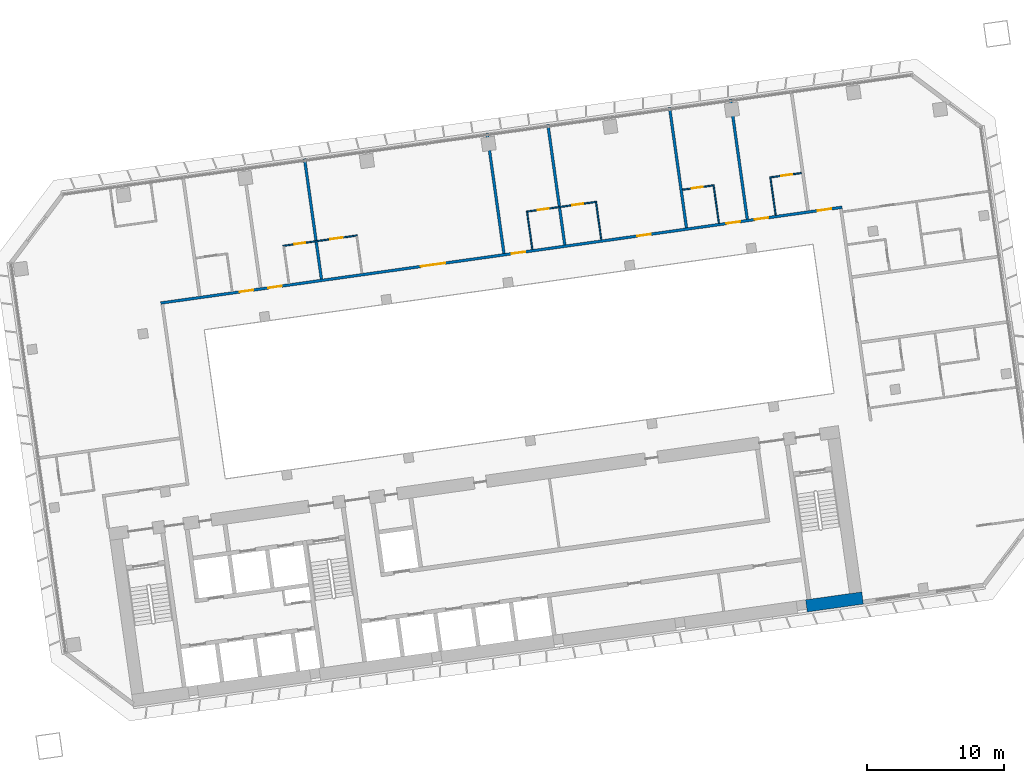
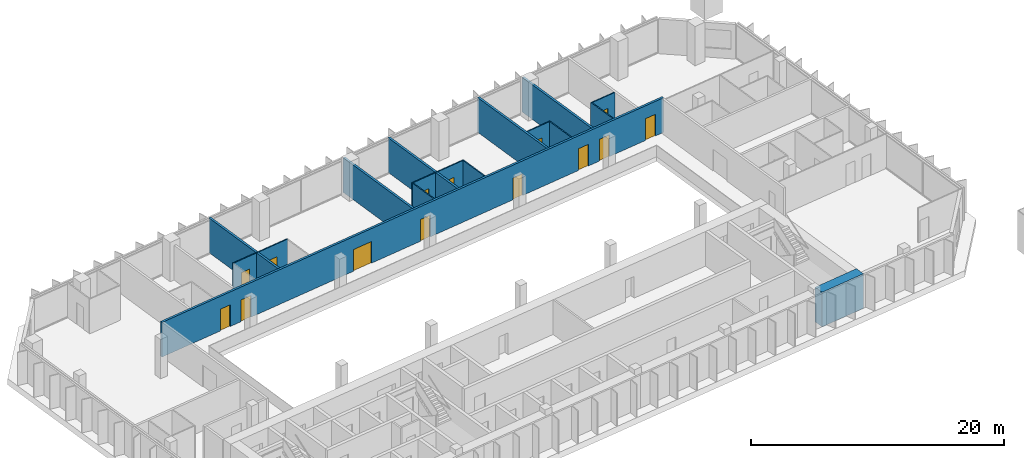
# One storey, part 20 of 24: 15 walls, 14 doors, 14 openings.
"""IFC4 building model written with IfcOpenShell, lengths in metres."""

from ifc_helpers import new_model, si_unit, direction, frame, frame_2d, origin, place, context, subcontext, project, spatial, rectangle, extrude, material, layer, layer_set, type_object, element, fill, save


model = new_model("IFC4")

# Units and contexts
model_context = context("Model", 3, precision=1e-05, world=origin(), true_north=direction((0.0, 1.0)))
body_context = subcontext(model_context, "Body", "Model", "MODEL_VIEW")
ifc_project = project(units=[si_unit("LENGTHUNIT", "METRE"), si_unit("AREAUNIT", "SQUARE_METRE"), si_unit("VOLUMEUNIT", "CUBIC_METRE"), si_unit("PLANEANGLEUNIT", "RADIAN"), si_unit("MASSUNIT", "GRAM", prefix="KILO")], contexts=[model_context])

# Site, building, storey
site_placement = place(None, origin())
site = spatial("IfcSite", under=ifc_project, at=site_placement, CompositionType="ELEMENT")
building_placement = place(site_placement, origin())
building = spatial("IfcBuilding", under=site, at=building_placement, Name="Mirante Cascada Hotel Towers", CompositionType="ELEMENT")
storey_placement = place(building_placement, frame((0.0, 0.0, 81.3)))
storey = spatial("IfcBuildingStorey", under=building, at=storey_placement, Name="L17", CompositionType="ELEMENT", Elevation=81.3)

# Wall, openings, doors
ifc_material_1 = material(Name="Fire-rated plasterboard on metal studs")
ifc_layer_1 = layer(ifc_material_1, 0.2)
ifc_layer_set_1 = layer_set([ifc_layer_1], Name="Compartment wall 200 EI 120")
wall_type_1 = type_object("IfcWallType", Name="Compartment wall 200 EI 120", PredefinedType="PARTITIONING", material=ifc_layer_set_1)
wall_1_placement = place(storey_placement, frame((89.0146, 16.3922, 0.0), z_axis=(0.0, 0.0, 1.0), x_axis=(-0.9902681, -0.1391727, 0.0)))
wall_1 = element("IfcWall", 1, at=wall_1_placement, inside=storey, type_object=wall_type_1, Name="Wall 2-L17-13", PredefinedType="PARTITIONING", context=body_context, shape_type="SweptSolid", body=[
    extrude(rectangle(XDim=50.4, YDim=0.2, at=frame_2d((25.2, 0.0))), origin(), (0.0, 0.0, 1.0), 3.35),
])
opening_1_placement = place(wall_1_placement, frame((43.55, 0.0, 0.0)))
opening_1 = element("IfcOpeningElement", 2, at=opening_1_placement, cuts=wall_1, Name="Opening D2-L17-07", PredefinedType="OPENING", context=body_context, shape_type="SweptSolid", body=[
    extrude(rectangle(XDim=1.0, YDim=2.1, at=frame_2d((0.5, 1.05))), frame((0.0, 0.1, 0.0), z_axis=(0.0, -1.0, 0.0), x_axis=(1.0, 0.0, 0.0)), (0.0, 0.0, 1.0), 0.2),
])
opening_2_placement = place(wall_1_placement, frame((41.45, 0.0, 0.0)))
opening_2 = element("IfcOpeningElement", 3, at=opening_2_placement, cuts=wall_1, Name="Opening D2-L17-08", PredefinedType="OPENING", context=body_context, shape_type="SweptSolid", body=[
    extrude(rectangle(XDim=1.0, YDim=2.1, at=frame_2d((0.5, 1.05))), frame((0.0, 0.1, 0.0), z_axis=(0.0, -1.0, 0.0), x_axis=(1.0, 0.0, 0.0)), (0.0, 0.0, 1.0), 0.2),
])
opening_3_placement = place(wall_1_placement, frame((29.35, 0.0, 0.0)))
opening_3 = element("IfcOpeningElement", 4, at=opening_3_placement, cuts=wall_1, Name="Opening D2-L17-09", PredefinedType="OPENING", context=body_context, shape_type="SweptSolid", body=[
    extrude(rectangle(XDim=1.8, YDim=2.1, at=frame_2d((0.9, 1.05))), frame((0.0, 0.1, 0.0), z_axis=(0.0, -1.0, 0.0), x_axis=(1.0, 0.0, 0.0)), (0.0, 0.0, 1.0), 0.2),
])
opening_4_placement = place(wall_1_placement, frame((23.45, 0.0, 0.0)))
opening_4 = element("IfcOpeningElement", 5, at=opening_4_placement, cuts=wall_1, Name="Opening D2-L17-10", PredefinedType="OPENING", context=body_context, shape_type="SweptSolid", body=[
    extrude(rectangle(XDim=1.0, YDim=2.1, at=frame_2d((0.5, 1.05))), frame((0.0, 0.1, 0.0), z_axis=(0.0, -1.0, 0.0), x_axis=(1.0, 0.0, 0.0)), (0.0, 0.0, 1.0), 0.2),
])
opening_5_placement = place(wall_1_placement, frame((14.15, 0.0, 0.0)))
opening_5 = element("IfcOpeningElement", 6, at=opening_5_placement, cuts=wall_1, Name="Opening D2-L17-11", PredefinedType="OPENING", context=body_context, shape_type="SweptSolid", body=[
    extrude(rectangle(XDim=1.0, YDim=2.1, at=frame_2d((0.5, 1.05))), frame((0.0, 0.1, 0.0), z_axis=(0.0, -1.0, 0.0), x_axis=(1.0, 0.0, 0.0)), (0.0, 0.0, 1.0), 0.2),
])
opening_6_placement = place(wall_1_placement, frame((7.55, 0.0, 0.0)))
opening_6 = element("IfcOpeningElement", 7, at=opening_6_placement, cuts=wall_1, Name="Opening D2-L17-12", PredefinedType="OPENING", context=body_context, shape_type="SweptSolid", body=[
    extrude(rectangle(XDim=1.0, YDim=2.1, at=frame_2d((0.5, 1.05))), frame((0.0, 0.1, 0.0), z_axis=(0.0, -1.0, 0.0), x_axis=(1.0, 0.0, 0.0)), (0.0, 0.0, 1.0), 0.2),
])
opening_7_placement = place(wall_1_placement, frame((5.45, 0.0, 0.0)))
opening_7 = element("IfcOpeningElement", 8, at=opening_7_placement, cuts=wall_1, Name="Opening D2-L17-13", PredefinedType="OPENING", context=body_context, shape_type="SweptSolid", body=[
    extrude(rectangle(XDim=1.0, YDim=2.1, at=frame_2d((0.5, 1.05))), frame((0.0, 0.1, 0.0), z_axis=(0.0, -1.0, 0.0), x_axis=(1.0, 0.0, 0.0)), (0.0, 0.0, 1.0), 0.2),
])
opening_8_placement = place(wall_1_placement, frame((0.8, 0.0, 0.0)))
opening_8 = element("IfcOpeningElement", 9, at=opening_8_placement, cuts=wall_1, Name="Opening D2-L17-14", PredefinedType="OPENING", context=body_context, shape_type="SweptSolid", body=[
    extrude(rectangle(XDim=1.0, YDim=2.1, at=frame_2d((0.5, 1.05))), frame((0.0, 0.1, 0.0), z_axis=(0.0, -1.0, 0.0), x_axis=(1.0, 0.0, 0.0)), (0.0, 0.0, 1.0), 0.2),
])
ifc_material_2 = material(Name="Fire-rated timber door leaf", Category="wood")
door_type_1 = type_object("IfcDoorType", Name="Entrance door DG1 1000x2100 EI 60", OperationType="SINGLE_SWING_LEFT", PredefinedType="DOOR", material=ifc_material_2)
door_1_placement = place(opening_1_placement, frame((1.0, 0.0, 0.0), z_axis=(0.0, 0.0, 1.0), x_axis=(-1.0, 0.0, 0.0)))
door_1 = element("IfcDoor", 10, at=door_1_placement, inside=storey, type_object=door_type_1, Name="Door D2-L17-07", OperationType="SINGLE_SWING_RIGHT", OverallHeight=2.1, OverallWidth=1.0, PredefinedType="DOOR", context=body_context, shape_type="SweptSolid", body=[
    extrude(rectangle(XDim=1.0, YDim=2.1, at=frame_2d((0.5, 1.05))), frame((0.0, 0.025, 0.0), z_axis=(0.0, -1.0, 0.0), x_axis=(1.0, 0.0, 0.0)), (0.0, 0.0, 1.0), 0.05),
])
fill(opening_1, door_1)
door_2_placement = place(opening_2_placement, frame((1.0, 0.0, 0.0), z_axis=(0.0, 0.0, 1.0), x_axis=(-1.0, 0.0, 0.0)))
door_2 = element("IfcDoor", 11, at=door_2_placement, inside=storey, type_object=door_type_1, Name="Door D2-L17-08", OperationType="SINGLE_SWING_RIGHT", OverallHeight=2.1, OverallWidth=1.0, PredefinedType="DOOR", context=body_context, shape_type="SweptSolid", body=[
    extrude(rectangle(XDim=1.0, YDim=2.1, at=frame_2d((0.5, 1.05))), frame((0.0, 0.025, 0.0), z_axis=(0.0, -1.0, 0.0), x_axis=(1.0, 0.0, 0.0)), (0.0, 0.0, 1.0), 0.05),
])
fill(opening_2, door_2)
door_3_placement = place(opening_4_placement, frame((1.0, 0.0, 0.0), z_axis=(0.0, 0.0, 1.0), x_axis=(-1.0, 0.0, 0.0)))
door_3 = element("IfcDoor", 12, at=door_3_placement, inside=storey, type_object=door_type_1, Name="Door D2-L17-10", OperationType="SINGLE_SWING_RIGHT", OverallHeight=2.1, OverallWidth=1.0, PredefinedType="DOOR", context=body_context, shape_type="SweptSolid", body=[
    extrude(rectangle(XDim=1.0, YDim=2.1, at=frame_2d((0.5, 1.05))), frame((0.0, 0.025, 0.0), z_axis=(0.0, -1.0, 0.0), x_axis=(1.0, 0.0, 0.0)), (0.0, 0.0, 1.0), 0.05),
])
fill(opening_4, door_3)
door_4_placement = place(opening_5_placement, frame((1.0, 0.0, 0.0), z_axis=(0.0, 0.0, 1.0), x_axis=(-1.0, 0.0, 0.0)))
door_4 = element("IfcDoor", 13, at=door_4_placement, inside=storey, type_object=door_type_1, Name="Door D2-L17-11", OperationType="SINGLE_SWING_RIGHT", OverallHeight=2.1, OverallWidth=1.0, PredefinedType="DOOR", context=body_context, shape_type="SweptSolid", body=[
    extrude(rectangle(XDim=1.0, YDim=2.1, at=frame_2d((0.5, 1.05))), frame((0.0, 0.025, 0.0), z_axis=(0.0, -1.0, 0.0), x_axis=(1.0, 0.0, 0.0)), (0.0, 0.0, 1.0), 0.05),
])
fill(opening_5, door_4)
door_5_placement = place(opening_6_placement, frame((1.0, 0.0, 0.0), z_axis=(0.0, 0.0, 1.0), x_axis=(-1.0, 0.0, 0.0)))
door_5 = element("IfcDoor", 14, at=door_5_placement, inside=storey, type_object=door_type_1, Name="Door D2-L17-12", OperationType="SINGLE_SWING_RIGHT", OverallHeight=2.1, OverallWidth=1.0, PredefinedType="DOOR", context=body_context, shape_type="SweptSolid", body=[
    extrude(rectangle(XDim=1.0, YDim=2.1, at=frame_2d((0.5, 1.05))), frame((0.0, 0.025, 0.0), z_axis=(0.0, -1.0, 0.0), x_axis=(1.0, 0.0, 0.0)), (0.0, 0.0, 1.0), 0.05),
])
fill(opening_6, door_5)
door_6_placement = place(opening_7_placement, frame((1.0, 0.0, 0.0), z_axis=(0.0, 0.0, 1.0), x_axis=(-1.0, 0.0, 0.0)))
door_6 = element("IfcDoor", 15, at=door_6_placement, inside=storey, type_object=door_type_1, Name="Door D2-L17-13", OperationType="SINGLE_SWING_RIGHT", OverallHeight=2.1, OverallWidth=1.0, PredefinedType="DOOR", context=body_context, shape_type="SweptSolid", body=[
    extrude(rectangle(XDim=1.0, YDim=2.1, at=frame_2d((0.5, 1.05))), frame((0.0, 0.025, 0.0), z_axis=(0.0, -1.0, 0.0), x_axis=(1.0, 0.0, 0.0)), (0.0, 0.0, 1.0), 0.05),
])
fill(opening_7, door_6)
door_7_placement = place(opening_8_placement, frame((1.0, 0.0, 0.0), z_axis=(0.0, 0.0, 1.0), x_axis=(-1.0, 0.0, 0.0)))
door_7 = element("IfcDoor", 16, at=door_7_placement, inside=storey, type_object=door_type_1, Name="Door D2-L17-14", OperationType="SINGLE_SWING_RIGHT", OverallHeight=2.1, OverallWidth=1.0, PredefinedType="DOOR", context=body_context, shape_type="SweptSolid", body=[
    extrude(rectangle(XDim=1.0, YDim=2.1, at=frame_2d((0.5, 1.05))), frame((0.0, 0.025, 0.0), z_axis=(0.0, -1.0, 0.0), x_axis=(1.0, 0.0, 0.0)), (0.0, 0.0, 1.0), 0.05),
])
fill(opening_8, door_7)
ifc_material_3 = material(Name="Fire-rated timber door leaf", Category="wood")
door_type_2 = type_object("IfcDoorType", Name="Suite double door DG2 1800x2100 EI 60", OperationType="DOUBLE_DOOR_SINGLE_SWING", PredefinedType="DOOR", material=ifc_material_3)
door_8_placement = place(opening_3_placement, origin())
door_8 = element("IfcDoor", 17, at=door_8_placement, inside=storey, type_object=door_type_2, Name="Door D2-L17-09", OperationType="DOUBLE_DOOR_SINGLE_SWING", OverallHeight=2.1, OverallWidth=1.8, PredefinedType="DOOR", context=body_context, shape_type="SweptSolid", body=[
    extrude(rectangle(XDim=0.895, YDim=2.1, at=frame_2d((0.4475, 1.05))), frame((0.0, 0.025, 0.0), z_axis=(0.0, -1.0, 0.0), x_axis=(1.0, 0.0, 0.0)), (0.0, 0.0, 1.0), 0.05),
    extrude(rectangle(XDim=0.895, YDim=2.1, at=frame_2d((1.3525, 1.05))), frame((0.0, 0.025, 0.0), z_axis=(0.0, -1.0, 0.0), x_axis=(1.0, 0.0, 0.0)), (0.0, 0.0, 1.0), 0.05),
])
fill(opening_3, door_8)

# Walls
for number, where, z_axis, x_axis, name in (
    (18, (50.8754, 11.1331, 0.0), (0.0, 0.0, 1.0), (-0.1391794, 0.9902672, 0.0), "Wall 2-L17-30"),
    (19, (64.244, 13.0119, 0.0), (0.0, 0.0, 1.0), (-0.1391684, 0.9902687, 0.0), "Wall 2-L17-32"),
    (20, (68.7002, 13.6382, 0.0), (0.0, 0.0, 1.0), (-0.1391684, 0.9902687, 0.0), "Wall 2-L17-34"),
    (21, (77.6126, 14.8908, 0.0), (0.0, 0.0, 1.0), (-0.1391684, 0.9902687, 0.0), "Wall 2-L17-36"),
):
    element("IfcWall", number, at=place(storey_placement, frame(where, z_axis=z_axis, x_axis=x_axis)), inside=storey, type_object=wall_type_1, Name=name, PredefinedType="PARTITIONING", context=body_context, shape_type="SweptSolid", body=[
        extrude(rectangle(XDim=8.9, YDim=0.2, at=frame_2d((4.45, 0.0))), origin(), (0.0, 0.0, 1.0), 3.35),
    ])
wall_2_placement = place(storey_placement, frame((82.0688, 15.5171, 0.0), z_axis=(0.0, 0.0, 1.0), x_axis=(-0.13917, 0.9902685, 0.0)))
element("IfcWall", 22, at=wall_2_placement, inside=storey, type_object=wall_type_1, Name="Wall 2-L17-38", PredefinedType="PARTITIONING", context=body_context, shape_type="SweptSolid", body=[
    extrude(rectangle(XDim=8.8999, YDim=0.2, at=frame_2d((4.45, 0.0))), origin(), (0.0, 0.0, 1.0), 3.35),
])

# Wall, openings, doors
ifc_material_4 = material(Name="Plasterboard on metal studs")
ifc_layer_2 = layer(ifc_material_4, 0.1)
ifc_layer_set_2 = layer_set([ifc_layer_2], Name="Partition 100")
wall_type_2 = type_object("IfcWallType", Name="Partition 100", PredefinedType="PARTITIONING", material=ifc_layer_set_2)
wall_3_placement = place(storey_placement, frame((53.506, 14.3303, 0.0), z_axis=(0.0, 0.0, 1.0), x_axis=(-0.9902695, -0.1391632, 0.0)))
wall_3 = element("IfcWall", 23, at=wall_3_placement, inside=storey, type_object=wall_type_2, Name="Wall 2-L17-15", PredefinedType="PARTITIONING", context=body_context, shape_type="SweptSolid", body=[
    extrude(rectangle(XDim=5.5, YDim=0.1, at=frame_2d((2.75, 0.0))), origin(), (0.0, 0.0, 1.0), 3.35),
])
opening_9_placement = place(wall_3_placement, frame((3.85, 0.0, 0.0)))
opening_9 = element("IfcOpeningElement", 24, at=opening_9_placement, cuts=wall_3, Name="Opening D2-L17-16", PredefinedType="OPENING", context=body_context, shape_type="SweptSolid", body=[
    extrude(rectangle(XDim=0.8, YDim=2.1, at=frame_2d((0.4, 1.05))), frame((0.0, 0.05, 0.0), z_axis=(0.0, -1.0, 0.0), x_axis=(1.0, 0.0, 0.0)), (0.0, 0.0, 1.0), 0.1),
])
opening_10_placement = place(wall_3_placement, frame((1.1, 0.0, 0.0)))
opening_10 = element("IfcOpeningElement", 25, at=opening_10_placement, cuts=wall_3, Name="Opening D2-L17-17", PredefinedType="OPENING", context=body_context, shape_type="SweptSolid", body=[
    extrude(rectangle(XDim=0.9, YDim=2.1, at=frame_2d((0.45, 1.05))), frame((0.0, 0.05, 0.0), z_axis=(0.0, -1.0, 0.0), x_axis=(1.0, 0.0, 0.0)), (0.0, 0.0, 1.0), 0.1),
])
ifc_material_5 = material(Name="Timber door leaf", Category="wood")
door_type_3 = type_object("IfcDoorType", Name="Bathroom door DG4 800x2100", OperationType="SINGLE_SWING_LEFT", PredefinedType="DOOR", material=ifc_material_5)
door_9_placement = place(opening_9_placement, frame((0.8, 0.0, 0.0), z_axis=(0.0, 0.0, 1.0), x_axis=(-1.0, 0.0, 0.0)))
door_9 = element("IfcDoor", 26, at=door_9_placement, inside=storey, type_object=door_type_3, Name="Door D2-L17-16", OperationType="SINGLE_SWING_RIGHT", OverallHeight=2.1, OverallWidth=0.8, PredefinedType="DOOR", context=body_context, shape_type="SweptSolid", body=[
    extrude(rectangle(XDim=0.8, YDim=2.1, at=frame_2d((0.4, 1.05))), frame((0.0, 0.025, 0.0), z_axis=(0.0, -1.0, 0.0), x_axis=(1.0, 0.0, 0.0)), (0.0, 0.0, 1.0), 0.05),
])
fill(opening_9, door_9)
ifc_material_6 = material(Name="Timber door leaf", Category="wood")
door_type_4 = type_object("IfcDoorType", Name="Room door DG3 900x2100", OperationType="SINGLE_SWING_LEFT", PredefinedType="DOOR", material=ifc_material_6)
door_10_placement = place(opening_10_placement, frame((0.9, 0.0, 0.0), z_axis=(0.0, 0.0, 1.0), x_axis=(-1.0, 0.0, 0.0)))
door_10 = element("IfcDoor", 27, at=door_10_placement, inside=storey, type_object=door_type_4, Name="Door D2-L17-17", OperationType="SINGLE_SWING_RIGHT", OverallHeight=2.1, OverallWidth=0.9, PredefinedType="DOOR", context=body_context, shape_type="SweptSolid", body=[
    extrude(rectangle(XDim=0.9, YDim=2.1, at=frame_2d((0.45, 1.05))), frame((0.0, 0.025, 0.0), z_axis=(0.0, -1.0, 0.0), x_axis=(1.0, 0.0, 0.0)), (0.0, 0.0, 1.0), 0.05),
])
fill(opening_10, door_10)

wall_4_placement = place(storey_placement, frame((65.8844, 16.07, 0.0), z_axis=(0.0, 0.0, 1.0), x_axis=(0.9902681, 0.1391729, 0.0)))
wall_4 = element("IfcWall", 28, at=wall_4_placement, inside=storey, type_object=wall_type_2, Name="Wall 2-L17-16", PredefinedType="PARTITIONING", context=body_context, shape_type="SweptSolid", body=[
    extrude(rectangle(XDim=5.2, YDim=0.1, at=frame_2d((2.6, 0.0))), origin(), (0.0, 0.0, 1.0), 3.35),
])
opening_11_placement = place(wall_4_placement, frame((0.85, 0.0, 0.0)))
opening_11 = element("IfcOpeningElement", 29, at=opening_11_placement, cuts=wall_4, Name="Opening D2-L17-18", PredefinedType="OPENING", context=body_context, shape_type="SweptSolid", body=[
    extrude(rectangle(XDim=0.8, YDim=2.1, at=frame_2d((0.4, 1.05))), frame((0.0, 0.05, 0.0), z_axis=(0.0, -1.0, 0.0), x_axis=(1.0, 0.0, 0.0)), (0.0, 0.0, 1.0), 0.1),
])
opening_12_placement = place(wall_4_placement, frame((3.4, 0.0, 0.0)))
opening_12 = element("IfcOpeningElement", 30, at=opening_12_placement, cuts=wall_4, Name="Opening D2-L17-19", PredefinedType="OPENING", context=body_context, shape_type="SweptSolid", body=[
    extrude(rectangle(XDim=0.8, YDim=2.1, at=frame_2d((0.4, 1.05))), frame((0.0, 0.05, 0.0), z_axis=(0.0, -1.0, 0.0), x_axis=(1.0, 0.0, 0.0)), (0.0, 0.0, 1.0), 0.1),
])
door_11_placement = place(opening_11_placement, origin())
door_11 = element("IfcDoor", 31, at=door_11_placement, inside=storey, type_object=door_type_3, Name="Door D2-L17-18", OperationType="SINGLE_SWING_LEFT", OverallHeight=2.1, OverallWidth=0.8, PredefinedType="DOOR", context=body_context, shape_type="SweptSolid", body=[
    extrude(rectangle(XDim=0.8, YDim=2.1, at=frame_2d((0.4, 1.05))), frame((0.0, 0.025, 0.0), z_axis=(0.0, -1.0, 0.0), x_axis=(1.0, 0.0, 0.0)), (0.0, 0.0, 1.0), 0.05),
])
fill(opening_11, door_11)
door_12_placement = place(opening_12_placement, origin())
door_12 = element("IfcDoor", 32, at=door_12_placement, inside=storey, type_object=door_type_3, Name="Door D2-L17-19", OperationType="SINGLE_SWING_LEFT", OverallHeight=2.1, OverallWidth=0.8, PredefinedType="DOOR", context=body_context, shape_type="SweptSolid", body=[
    extrude(rectangle(XDim=0.8, YDim=2.1, at=frame_2d((0.4, 1.05))), frame((0.0, 0.025, 0.0), z_axis=(0.0, -1.0, 0.0), x_axis=(1.0, 0.0, 0.0)), (0.0, 0.0, 1.0), 0.05),
])
fill(opening_12, door_12)

# Wall, opening, door
wall_5_placement = place(storey_placement, frame((79.5501, 17.9906, 0.0), z_axis=(0.0, 0.0, 1.0), x_axis=(-0.9902643, -0.1391997, 0.0)))
wall_5 = element("IfcWall", 33, at=wall_5_placement, inside=storey, type_object=wall_type_2, Name="Wall 2-L17-17", PredefinedType="PARTITIONING", context=body_context, shape_type="SweptSolid", body=[
    extrude(rectangle(XDim=2.25, YDim=0.1, at=frame_2d((1.125, 0.0))), origin(), (0.0, 0.0, 1.0), 3.35),
])
opening_13_placement = place(wall_5_placement, frame((0.75, 0.0, 0.0)))
opening_13 = element("IfcOpeningElement", 34, at=opening_13_placement, cuts=wall_5, Name="Opening D2-L17-20", PredefinedType="OPENING", context=body_context, shape_type="SweptSolid", body=[
    extrude(rectangle(XDim=0.8, YDim=2.1, at=frame_2d((0.4, 1.05))), frame((0.0, 0.05, 0.0), z_axis=(0.0, -1.0, 0.0), x_axis=(1.0, 0.0, 0.0)), (0.0, 0.0, 1.0), 0.1),
])
door_13_placement = place(opening_13_placement, frame((0.8, 0.0, 0.0), z_axis=(0.0, 0.0, 1.0), x_axis=(-1.0, 0.0, 0.0)))
door_13 = element("IfcDoor", 35, at=door_13_placement, inside=storey, type_object=door_type_3, Name="Door D2-L17-20", OperationType="SINGLE_SWING_RIGHT", OverallHeight=2.1, OverallWidth=0.8, PredefinedType="DOOR", context=body_context, shape_type="SweptSolid", body=[
    extrude(rectangle(XDim=0.8, YDim=2.1, at=frame_2d((0.4, 1.05))), frame((0.0, 0.025, 0.0), z_axis=(0.0, -1.0, 0.0), x_axis=(1.0, 0.0, 0.0)), (0.0, 0.0, 1.0), 0.05),
])
fill(opening_13, door_13)

wall_6_placement = place(storey_placement, frame((83.8082, 18.589, 0.0), z_axis=(0.0, 0.0, 1.0), x_axis=(0.9902643, 0.1391997, 0.0)))
wall_6 = element("IfcWall", 36, at=wall_6_placement, inside=storey, type_object=wall_type_2, Name="Wall 2-L17-18", PredefinedType="PARTITIONING", context=body_context, shape_type="SweptSolid", body=[
    extrude(rectangle(XDim=2.25, YDim=0.1, at=frame_2d((1.125, 0.0))), origin(), (0.0, 0.0, 1.0), 3.35),
])
opening_14_placement = place(wall_6_placement, frame((0.75, 0.0, 0.0)))
opening_14 = element("IfcOpeningElement", 37, at=opening_14_placement, cuts=wall_6, Name="Opening D2-L17-21", PredefinedType="OPENING", context=body_context, shape_type="SweptSolid", body=[
    extrude(rectangle(XDim=0.8, YDim=2.1, at=frame_2d((0.4, 1.05))), frame((0.0, 0.05, 0.0), z_axis=(0.0, -1.0, 0.0), x_axis=(1.0, 0.0, 0.0)), (0.0, 0.0, 1.0), 0.1),
])
door_14_placement = place(opening_14_placement, origin())
door_14 = element("IfcDoor", 38, at=door_14_placement, inside=storey, type_object=door_type_3, Name="Door D2-L17-21", OperationType="SINGLE_SWING_LEFT", OverallHeight=2.1, OverallWidth=0.8, PredefinedType="DOOR", context=body_context, shape_type="SweptSolid", body=[
    extrude(rectangle(XDim=0.8, YDim=2.1, at=frame_2d((0.4, 1.05))), frame((0.0, 0.025, 0.0), z_axis=(0.0, -1.0, 0.0), x_axis=(1.0, 0.0, 0.0)), (0.0, 0.0, 1.0), 0.05),
])
fill(opening_14, door_14)

# Walls
for number, where, z_axis, x_axis, name in (
    (39, (65.9408, 16.0274, 0.0), (0.0, 0.0, 1.0), (0.1392013, -0.9902641, 0.0), "Wall 2-L17-33"),
    (40, (70.9912, 16.7372, 0.0), (0.0, 0.0, 1.0), (0.1391657, -0.9902691, 0.0), "Wall 2-L17-35"),
):
    element("IfcWall", number, at=place(storey_placement, frame(where, z_axis=z_axis, x_axis=x_axis)), inside=storey, type_object=wall_type_2, Name=name, PredefinedType="PARTITIONING", context=body_context, shape_type="SweptSolid", body=[
        extrude(rectangle(XDim=2.75, YDim=0.1, at=frame_2d((1.375, 0.0))), origin(), (0.0, 0.0, 1.0), 3.35),
    ])
for number, where, z_axis, x_axis, name in (
    (41, (79.5926, 18.0471, 0.0), (0.0, 0.0, 1.0), (0.1391909, -0.9902656, 0.0), "Wall 2-L17-37"),
    (42, (83.7517, 18.6316, 0.0), (0.0, 0.0, 1.0), (0.1391909, -0.9902656, 0.0), "Wall 2-L17-39"),
):
    element("IfcWall", number, at=place(storey_placement, frame(where, z_axis=z_axis, x_axis=x_axis)), inside=storey, type_object=wall_type_2, Name=name, PredefinedType="PARTITIONING", context=body_context, shape_type="SweptSolid", body=[
        extrude(rectangle(XDim=2.85, YDim=0.1, at=frame_2d((1.425, 0.0))), origin(), (0.0, 0.0, 1.0), 3.35),
    ])
ifc_material_7 = material(Name="Concrete C50/60", Category="concrete")
ifc_layer_3 = layer(ifc_material_7, 0.9)
ifc_layer_set_3 = layer_set([ifc_layer_3], Name="RC core wall 900 C50/60")
wall_type_3 = type_object("IfcWallType", Name="RC core wall 900 C50/60", PredefinedType="SHEAR", material=ifc_layer_set_3)
wall_7_placement = place(storey_placement, frame((86.4027, -12.8054, 0.0), z_axis=(0.0, 0.0, 1.0), x_axis=(0.990267, 0.139181, 0.0)))
element("IfcWall", 43, at=wall_7_placement, inside=storey, type_object=wall_type_3, Name="Core wall T2:L17:1.7", PredefinedType="SHEAR", context=body_context, shape_type="SweptSolid", body=[
    extrude(rectangle(XDim=4.15, YDim=0.9, at=frame_2d((2.075, 0.0))), origin(), (0.0, 0.0, 1.0), 3.35),
])

save(model, "model.ifc")
